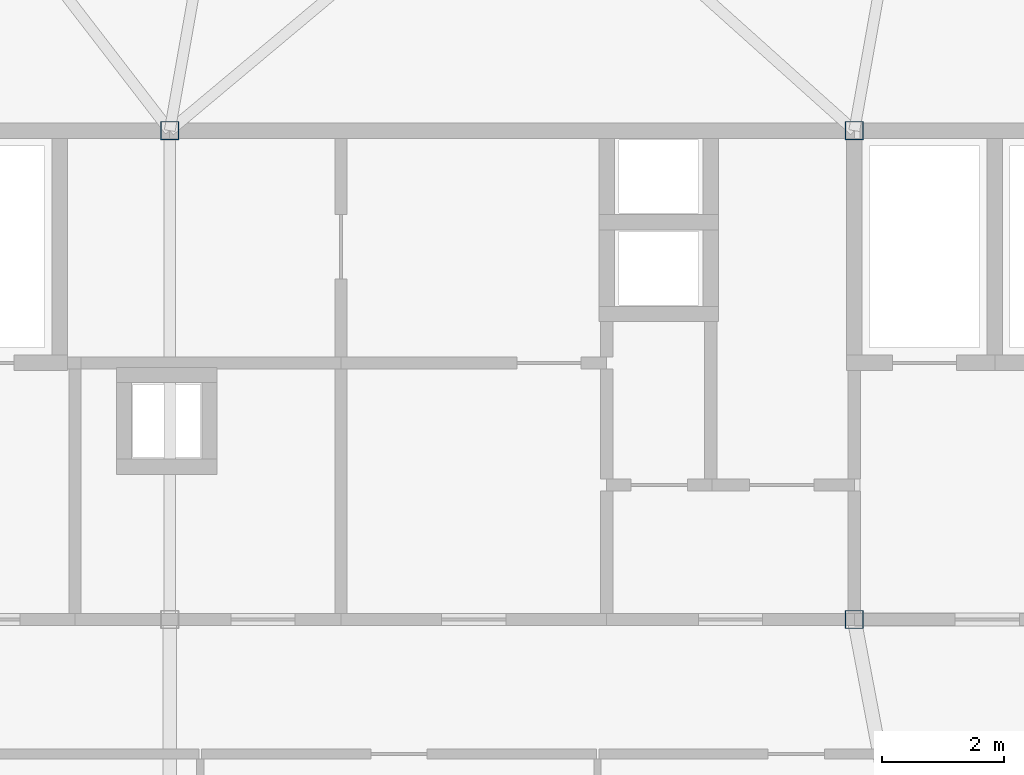
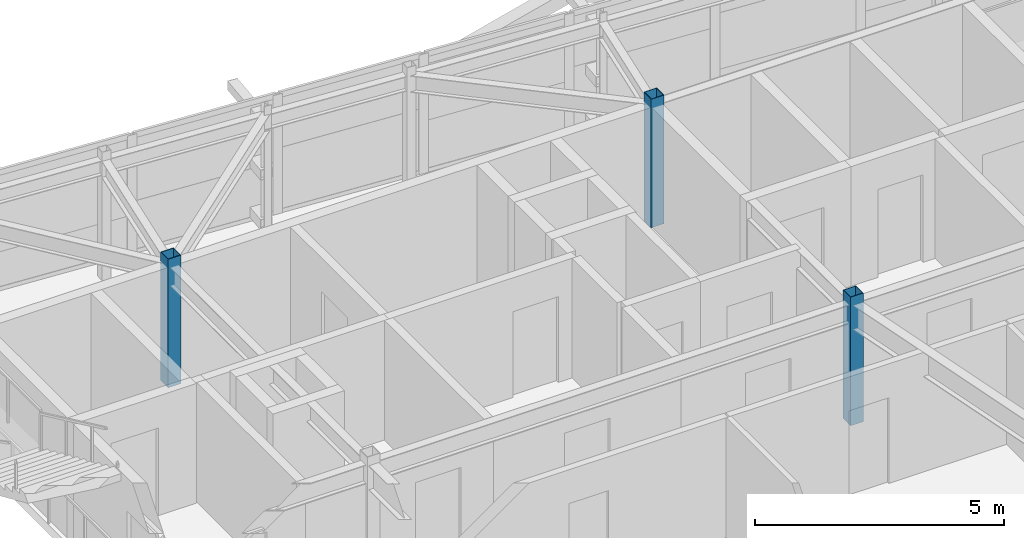
# One storey, part 4 of 42: 3 columns.
"""IFC4 building model written with IfcOpenShell, lengths in metres."""

from ifc_helpers import new_model, si_unit, direction, frame, origin, origin_2d, place, context, subcontext, project, spatial, hollow_rectangle, extrude, source, transform, mapped, material, material_profile, profile_set, type_object, element, save


model = new_model("IFC4")

# Units and contexts
model_context = context("Model", 3, precision=1e-05, world=origin(), true_north=direction((0.0, 1.0)))
body_context = subcontext(model_context, "Body", "Model", "MODEL_VIEW")
ifc_project = project(units=[si_unit("LENGTHUNIT", "METRE"), si_unit("AREAUNIT", "SQUARE_METRE"), si_unit("VOLUMEUNIT", "CUBIC_METRE"), si_unit("PLANEANGLEUNIT", "RADIAN"), si_unit("MASSUNIT", "GRAM", prefix="KILO")], contexts=[model_context])

# Site, building, storey
site_placement = place(None, origin())
site = spatial("IfcSite", under=ifc_project, at=site_placement, CompositionType="ELEMENT")
building_placement = place(site_placement, origin())
building = spatial("IfcBuilding", under=site, at=building_placement, Name="Taldren Reach Tower", CompositionType="ELEMENT")
storey_placement = place(building_placement, frame((0.0, 0.0, 217.699951171875)))
storey = spatial("IfcBuildingStorey", under=building, at=storey_placement, Name="L66", CompositionType="ELEMENT", Elevation=217.699951171875)

# Columns
ifc_material = material(Name="Steel Gr 450 (C450L0)", Category="steel")
ifc_material_profile = material_profile(ifc_material, hollow_rectangle(XDim=0.300048828125, YDim=0.300048828125, WallThickness=0.012451171875, at=origin_2d()), Name="300x300x12.5SHS")
ifc_profile_set = profile_set([ifc_material_profile], Name="Steel Gr 450 (C450L0)")
column_type = type_object("IfcColumnType", Name="COL-SHS300", PredefinedType="COLUMN", material=ifc_profile_set)
shared_shape = source(origin(), body_context, "Body", "SweptSolid", [
    extrude(hollow_rectangle(XDim=0.300048828125, YDim=0.300048828125, WallThickness=0.012451171875, at=origin_2d()), origin(), (0.0, 0.0, 1.0), 3.150146484375),
])
for number, where, z_axis, x_axis, name in (
    (1, (39.199951171875, 24.0, 0.0), (0.0, 0.0, 1.0), (1.0, 0.0, 0.0), "Mega column MC-C3 L66"),
    (2, (28.0, 32.0, 0.0), (0.0, 0.0, 1.0), (1.0, 0.0, 0.0), "Mega column MC-C6 L66"),
    (3, (39.199951171875, 32.0, 0.0), (0.0, 0.0, 1.0), (1.0, 0.0, 0.0), "Mega column MC-C7 L66"),
):
    element("IfcColumn", number, at=place(storey_placement, frame(where, z_axis=z_axis, x_axis=x_axis)), inside=storey, type_object=column_type, Name=name, PredefinedType="COLUMN", context=body_context, shape_type="MappedRepresentation", body=[
        mapped(shared_shape, transform((0.0, 0.0, 0.0), scale=1.0)),
    ])

save(model, "model.ifc")
